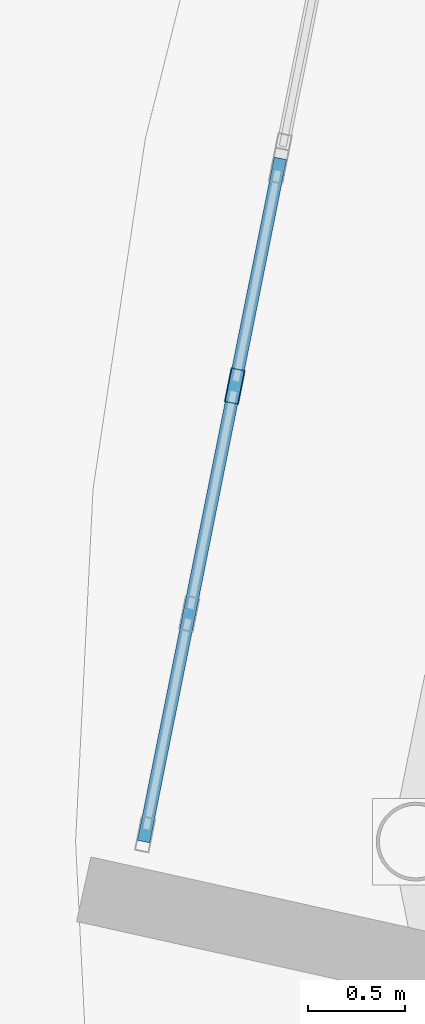
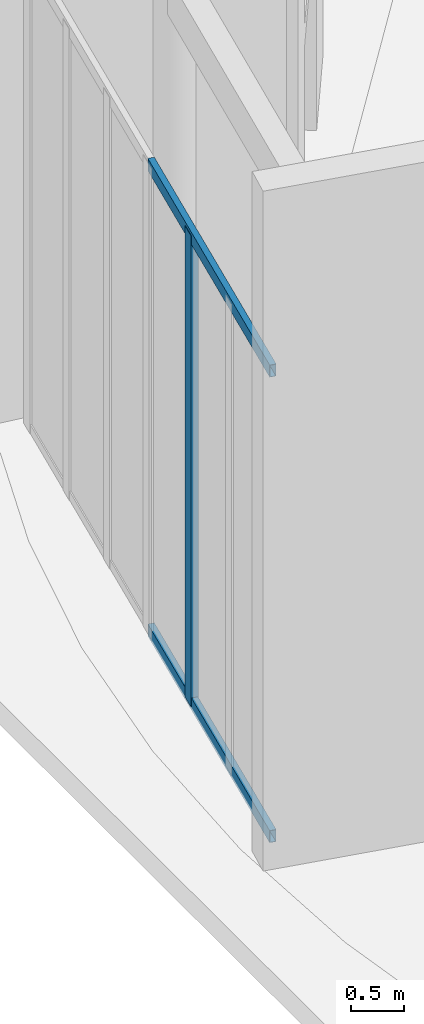
# One storey, part 36 of 94: 3 members, 1 element without a shape of its own.
"""IFC4 building model written with IfcOpenShell, lengths in metres."""

from ifc_helpers import new_model, si_unit, direction, frame, origin, origin_2d, place, context, subcontext, project, spatial, hollow_rectangle, extrude, material, layer, layer_set, material_profile, profile_set, type_object, element, aggregate, save


model = new_model("IFC4")

# Units and contexts
model_context = context("Model", 3, precision=1e-05, world=origin(), true_north=direction((0.0, 1.0)))
body_context = subcontext(model_context, "Body", "Model", "MODEL_VIEW")
ifc_project = project(units=[si_unit("LENGTHUNIT", "METRE"), si_unit("AREAUNIT", "SQUARE_METRE"), si_unit("VOLUMEUNIT", "CUBIC_METRE"), si_unit("PLANEANGLEUNIT", "RADIAN"), si_unit("MASSUNIT", "GRAM", prefix="KILO")], contexts=[model_context])

# Site, building, storey
site_placement = place(None, origin())
site = spatial("IfcSite", under=ifc_project, at=site_placement, CompositionType="ELEMENT")
building_placement = place(site_placement, origin())
building = spatial("IfcBuilding", under=site, at=building_placement, Name="Sollismere Congress Hotel", CompositionType="ELEMENT")
storey_placement = place(building_placement, origin())
storey = spatial("IfcBuildingStorey", under=building, at=storey_placement, Name="L00", CompositionType="ELEMENT", Elevation=0.0)

# Curtain wall, members
ifc_material_1 = material(Name="Anodized Bronze Curtain Wall & Low-E Triple Glazing", Category="glass")
ifc_layer = layer(ifc_material_1, 0.199951171875, Name="Anodized Bronze Curtain Wall & Low-E Triple Glazing")
ifc_layer_set = layer_set([ifc_layer], Name="Anodized Bronze Curtain Wall & Low-E Triple Glazing")
curtain_wall_type = type_object("IfcCurtainWallType", Name="CW-GLZ36", PredefinedType="USERDEFINED", material=ifc_layer_set)
curtain_wall_placement = place(storey_placement, origin())
curtain_wall = element("IfcCurtainWall", 1, at=curtain_wall_placement, inside=storey, type_object=curtain_wall_type, Name="Unitised curtain wall CW-L00-038", ObjectType="UNITISED CURTAIN WALL", PredefinedType="USERDEFINED")
ifc_material_2 = material(Name="Anodized Aluminum 6063-T6", Category="aluminium")
ifc_material_profile_1 = material_profile(ifc_material_2, hollow_rectangle(XDim=0.074951171875, YDim=0.179931640625, WallThickness=0.0048828125, at=origin_2d()), Name="ALU180X75X5")
ifc_profile_set_1 = profile_set([ifc_material_profile_1], Name="Anodized Aluminum 6063-T6")
member_type_1 = type_object("IfcMemberType", Name="ML-CW180", PredefinedType="MULLION", material=ifc_profile_set_1)
member_1_placement = place(storey_placement, frame((0.718994140625, 92.743408203125, 0.0), z_axis=(0.0, 0.0, 1.0), x_axis=(0.98055305186, -0.196254203749, 0.0)))
member_1 = element("IfcMember", 2, at=member_1_placement, type_object=member_type_1, Name="CWL-CW-L00-038-ML02", PredefinedType="MULLION", context=body_context, shape_type="SweptSolid", body=[
    extrude(hollow_rectangle(XDim=0.074951171875, YDim=0.179931640625, WallThickness=0.0048828125, at=origin_2d()), origin(), (0.0, 0.0, 1.0), 5.419921875),
])
ifc_material_profile_2 = material_profile(ifc_material_2, hollow_rectangle(XDim=0.06494140625, YDim=0.139892578125, WallThickness=0.00390625, at=origin_2d()), Name="ALU140X65X4")
ifc_profile_set_2 = profile_set([ifc_material_profile_2], Name="Anodized Aluminum 6063-T6")
member_type_2 = type_object("IfcMemberType", Name="TR-CW150", PredefinedType="MEMBER", material=ifc_profile_set_2)
member_2_placement = place(storey_placement, frame((0.95361328125, 93.9150390625, 0.032470703125), z_axis=(-0.196273293747, -0.980549230871, 0.0), x_axis=(0.980549230871, -0.196273293747, 0.0)))
member_2 = element("IfcMember", 3, at=member_2_placement, type_object=member_type_2, Name="CWL-CW-L00-038-TR1", PredefinedType="MEMBER", context=body_context, shape_type="SweptSolid", body=[
    extrude(hollow_rectangle(XDim=0.06494140625, YDim=0.139892578125, WallThickness=0.00390625, at=origin_2d()), origin(), (0.0, 0.0, 1.0), 3.5849609375),
])
member_3_placement = place(storey_placement, frame((0.95361328125, 93.9150390625, 5.387451171875), z_axis=(-0.196273293747, -0.980549230871, 0.0), x_axis=(0.980549230871, -0.196273293747, 0.0)))
member_3 = element("IfcMember", 4, at=member_3_placement, type_object=member_type_2, Name="CWL-CW-L00-038-TR2", PredefinedType="MEMBER", context=body_context, shape_type="SweptSolid", body=[
    extrude(hollow_rectangle(XDim=0.06494140625, YDim=0.139892578125, WallThickness=0.00390625, at=origin_2d()), origin(), (0.0, 0.0, 1.0), 3.5849609375),
])
aggregate(curtain_wall, [member_1, member_2, member_3])

save(model, "model.ifc")
